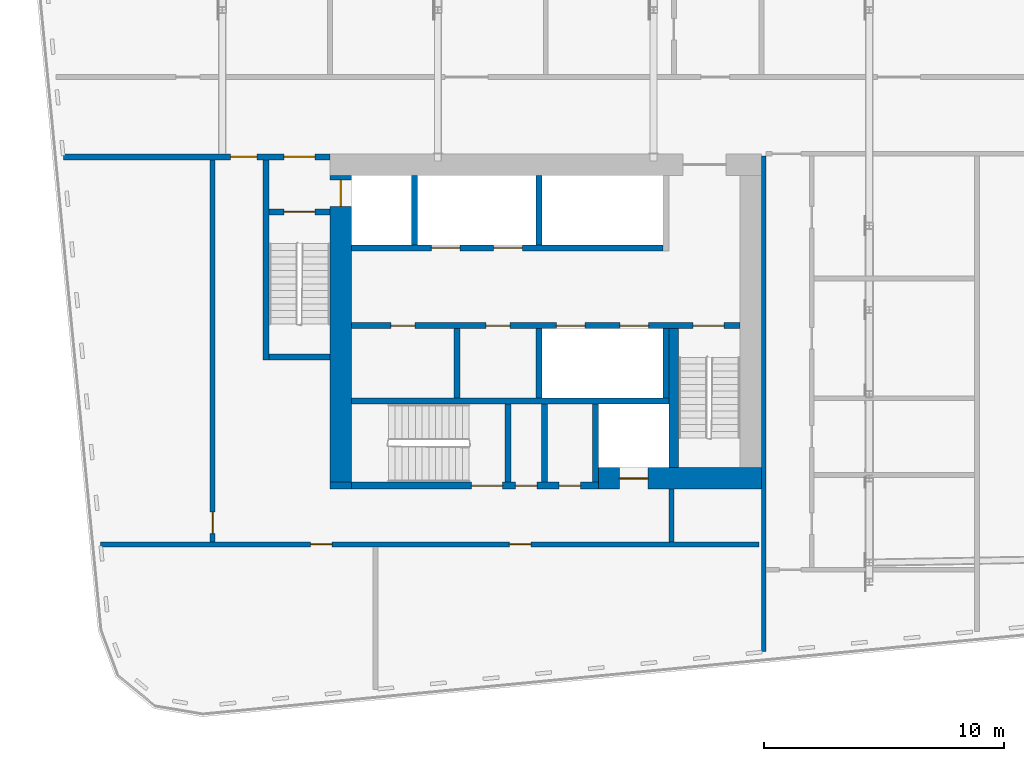
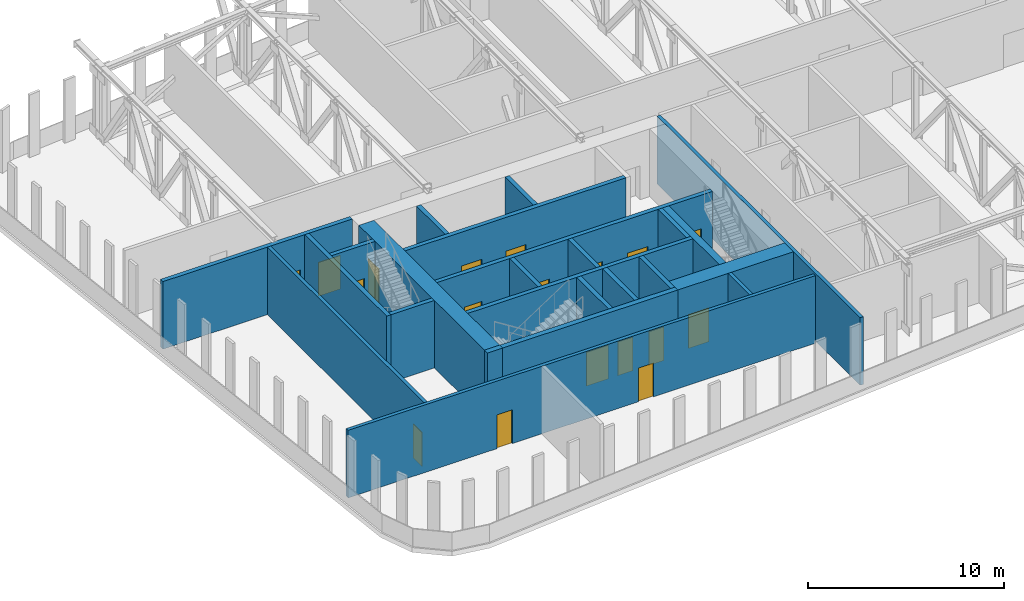
# One storey, part 8 of 26: 24 walls, 18 doors, 18 openings.
"""IFC4 building model written with IfcOpenShell, lengths in metres."""

import ifcopenshell
import ifcopenshell.guid

model = None  # the IFC model being written
_history = None  # IfcOwnerHistory: only IFC2X3 demands one
_inside = {}  # id of a spatial element -> (the spatial element, [elements in it])
_under = {}  # id of a project, library or spatial element -> (it, [spatial elements below it])
_declared = {}  # id of a project -> (the project, [libraries it declares])
_typed = {}  # id of a type object -> (the type object, [elements of that type])
_made_of = {}  # id of a material, layer set ... -> (it, [elements and type objects made of it])


def new_model(schema):
    """Start an empty IFC model of exactly this schema.

    Asked for "IFC4X3", IfcOpenShell would pick the latest addendum, in which some entities
    have other attributes; the version numbers below select the first issue.
    IFC2X3 requires an IfcOwnerHistory on every rooted entity: one is made here for all.
    """
    global model, _history
    if schema == "IFC4X3":
        model = ifcopenshell.file(schema_version=(4, 3, 0, 0))
    else:
        model = ifcopenshell.file(schema=schema)
    _inside.clear()
    _under.clear()
    _declared.clear()
    _typed.clear()
    _made_of.clear()
    _history = None
    if model.schema == "IFC2X3":
        org = make("IfcOrganization", Name="unknown")
        user = make(
            "IfcPersonAndOrganization",
            ThePerson=make("IfcPerson", FamilyName="unknown"),
            TheOrganization=org,
        )
        app = make(
            "IfcApplication",
            ApplicationDeveloper=org,
            Version="unknown",
            ApplicationFullName="unknown",
            ApplicationIdentifier="unknown",
        )
        _history = make(
            "IfcOwnerHistory",
            OwningUser=user,
            OwningApplication=app,
            ChangeAction="ADDED",
            CreationDate=0,
        )
    return model


def make(cls, **values):
    """One entity of the class cls with the attributes given. An attribute that is None is left unset."""
    return model.create_entity(
        cls, **{name: value for name, value in values.items() if value is not None}
    )


def rooted(cls, **values):
    """An entity with a GlobalId (a new one), such as an element, a storey or a relation."""
    return make(cls, GlobalId=ifcopenshell.guid.new(), OwnerHistory=_history, **values)


def si_unit(unit_type, name, prefix=None):
    """IfcSIUnit, for example si_unit("LENGTHUNIT", "METRE", prefix="MILLI")."""
    return make("IfcSIUnit", UnitType=unit_type, Prefix=prefix, Name=name)


def assignment(units):
    """IfcUnitAssignment: the units of a project."""
    return None if units is None else make("IfcUnitAssignment", Units=units)


def point(xyz):
    """IfcCartesianPoint."""
    return None if xyz is None else make("IfcCartesianPoint", Coordinates=xyz)


def direction(xyz):
    """IfcDirection."""
    return None if xyz is None else make("IfcDirection", DirectionRatios=xyz)


def frame(location, z_axis=None, x_axis=None):
    """IfcAxis2Placement3D, a coordinate frame: its origin and axes. An axis left out is left unset."""
    return make(
        "IfcAxis2Placement3D",
        Location=point(location),
        Axis=direction(z_axis),
        RefDirection=direction(x_axis),
    )


def frame_2d(location, x_axis=None):
    """IfcAxis2Placement2D, a coordinate frame in the plane: its origin and x axis."""
    return make(
        "IfcAxis2Placement2D", Location=point(location), RefDirection=direction(x_axis)
    )


def origin():
    """The frame at (0, 0, 0) with its axes left unset."""
    return frame((0.0, 0.0, 0.0))


def place(relative_to, where):
    """IfcLocalPlacement: puts the frame where relative to a parent placement (None: the world)."""
    return make(
        "IfcLocalPlacement", PlacementRelTo=relative_to, RelativePlacement=where
    )


def context(
    kind, dimensions, precision=None, world=None, true_north=None, identifier=None
):
    """IfcGeometricRepresentationContext, for example the 3D "Model" context."""
    return make(
        "IfcGeometricRepresentationContext",
        ContextIdentifier=identifier,
        ContextType=kind,
        CoordinateSpaceDimension=dimensions,
        Precision=precision,
        WorldCoordinateSystem=world,
        TrueNorth=true_north,
    )


def subcontext(parent, identifier, kind, view, scale=None):
    """IfcGeometricRepresentationSubContext, for example "Body" below "Model"."""
    return make(
        "IfcGeometricRepresentationSubContext",
        ContextIdentifier=identifier,
        ContextType=kind,
        ParentContext=parent,
        TargetScale=scale,
        TargetView=view,
    )


def project(units=None, contexts=None):
    """IfcProject with its units and contexts."""
    return rooted(
        "IfcProject",
        Name="project",
        RepresentationContexts=contexts,
        UnitsInContext=assignment(units),
    )


def spatial(cls, under=None, at=None, **own):
    """A site, building, storey or space (cls), placed at a placement, below another one or the project."""
    s = rooted(cls, ObjectPlacement=at, **own)
    if under is not None:
        _under.setdefault(under.id(), (under, []))[1].append(s)
    return s


def profile(cls, at=None, kind="AREA", **sizes):
    """A parametric profile (cls). Its sizes go by their IFC names, for example OverallWidth=200.0."""
    return make(cls, ProfileType=kind, Position=at, **sizes)


def rectangle(**sizes):
    """IfcRectangleProfileDef."""
    return profile("IfcRectangleProfileDef", **sizes)


def extrude(swept, where, along, depth):
    """IfcExtrudedAreaSolid: the profile swept, set in the frame where, extruded along a direction by depth."""
    return make(
        "IfcExtrudedAreaSolid",
        SweptArea=swept,
        Position=where,
        ExtrudedDirection=direction(along),
        Depth=depth,
    )


def shape(context_of_items, identifier, shape_type, items):
    """IfcShapeRepresentation: the items that make up one representation, for example the "Body"."""
    return make(
        "IfcShapeRepresentation",
        ContextOfItems=context_of_items,
        RepresentationIdentifier=identifier,
        RepresentationType=shape_type,
        Items=items,
    )


def material(Name=None, Category=None):
    """IfcMaterial."""
    return make("IfcMaterial", Name=Name, Category=Category)


def layer(
    of_material, thickness, ventilated=None, Name=None, Category=None, Priority=None
):
    """IfcMaterialLayer: one layer of a wall or slab, of a material (None: an air gap)."""
    return make(
        "IfcMaterialLayer",
        Material=of_material,
        LayerThickness=thickness,
        IsVentilated=ventilated,
        Name=Name,
        Category=Category,
        Priority=Priority,
    )


def layer_set(layers, Name=None):
    """IfcMaterialLayerSet."""
    return make("IfcMaterialLayerSet", MaterialLayers=layers, LayerSetName=Name)


def made_of(thing, what):
    """Note that an element or type object is made of a material, layer set ...; save() writes the relation."""
    if what is not None:
        _made_of.setdefault(what.id(), (what, []))[1].append(thing)
    return thing


def type_object(cls, material=None, **own):
    """A type object (cls), such as IfcWallType, which elements share."""
    return made_of(rooted(cls, **own), material)


def element(
    cls,
    number,
    at=None,
    inside=None,
    cuts=None,
    type_object=None,
    material=None,
    context=None,
    identifier="Body",
    shape_type=None,
    held_by="IfcProductDefinitionShape",
    body=None,
    shapes=None,
    **own,
):
    """One element of the class cls, such as IfcWall. Its Tag is "e" and its number.

    at: its placement. inside: the storey or other place that contains it. cuts: it is an
    opening in that element (IfcRelVoidsElement). A single representation is given by context,
    identifier, shape_type and body (its items); several are given by shapes. held_by: the class
    of the entity that holds the representations. save() writes the other relations.
    """
    e = rooted(cls, Tag="e%d" % number, ObjectPlacement=at, **own)
    if body is not None:
        shapes = [shape(context, identifier, shape_type, body)]
    if shapes is not None:
        e.Representation = make(held_by, Representations=shapes)
    if inside is not None:
        _inside.setdefault(inside.id(), (inside, []))[1].append(e)
    if cuts is not None:
        rooted(
            "IfcRelVoidsElement", RelatingBuildingElement=cuts, RelatedOpeningElement=e
        )
    if type_object is not None:
        _typed.setdefault(type_object.id(), (type_object, []))[1].append(e)
    return made_of(e, material)


def fill(opening, filler):
    """IfcRelFillsElement: the door or window that sits in an opening."""
    return rooted(
        "IfcRelFillsElement",
        RelatingOpeningElement=opening,
        RelatedBuildingElement=filler,
    )


def aggregate(whole, parts):
    """IfcRelAggregates: a whole, such as a stair, and the parts it consists of."""
    return rooted("IfcRelAggregates", RelatingObject=whole, RelatedObjects=parts)


def save(model, path):
    """Write the relations noted so far, then the file.

    IfcRelAggregates (storeys below a building ...), IfcRelContainedInSpatialStructure (elements
    in a storey), IfcRelDefinesByType, IfcRelAssociatesMaterial and IfcRelDeclares: one each for
    every whole, place, type object, material and project.
    """
    for whole, parts in _under.values():
        aggregate(whole, parts)
    for where, things in _inside.values():
        rooted(
            "IfcRelContainedInSpatialStructure",
            RelatedElements=things,
            RelatingStructure=where,
        )
    for kind, things in _typed.values():
        rooted("IfcRelDefinesByType", RelatedObjects=things, RelatingType=kind)
    for what, things in _made_of.values():
        rooted("IfcRelAssociatesMaterial", RelatedObjects=things, RelatingMaterial=what)
    for by, libraries in _declared.values():
        rooted("IfcRelDeclares", RelatingContext=by, RelatedDefinitions=libraries)
    model.write(path)


model = new_model("IFC4")

# Units and contexts
model_context = context("Model", 3, precision=1e-05, world=origin(), true_north=direction((0.0, 1.0)))
body_context = subcontext(model_context, "Body", "Model", "MODEL_VIEW")
ifc_project = project(units=[si_unit("LENGTHUNIT", "METRE"), si_unit("AREAUNIT", "SQUARE_METRE"), si_unit("VOLUMEUNIT", "CUBIC_METRE"), si_unit("PLANEANGLEUNIT", "RADIAN"), si_unit("MASSUNIT", "GRAM", prefix="KILO")], contexts=[model_context])

# Site, building, storey
site_placement = place(None, origin())
site = spatial("IfcSite", under=ifc_project, at=site_placement, CompositionType="ELEMENT")
building_placement = place(site_placement, origin())
building = spatial("IfcBuilding", under=site, at=building_placement, Name="Kajstack Hotel Tower", CompositionType="ELEMENT")
storey_placement = place(building_placement, frame((0.0, 0.0, 206.5)))
storey = spatial("IfcBuildingStorey", under=building, at=storey_placement, Name="L50", CompositionType="ELEMENT", Elevation=206.5)

# Wall, opening, door
ifc_material_1 = material(Name="Concrete C60/75", Category="concrete")
ifc_layer_1 = layer(ifc_material_1, 0.89990234375)
ifc_layer_set_1 = layer_set([ifc_layer_1], Name="Core wall 900")
wall_type_1 = type_object("IfcWallType", Name="Core wall 900", PredefinedType="SHEAR", material=ifc_layer_set_1)
wall_1_placement = place(storey_placement, frame((-20.300048828125, -15.050048828125, 0.0), z_axis=(0.0, 0.0, 1.0), x_axis=(1.0, 0.0, 0.0)))
wall_1 = element("IfcWall", 1, at=wall_1_placement, inside=storey, type_object=wall_type_1, Name="Core wall W RS", PredefinedType="SHEAR", context=body_context, shape_type="SweptSolid", body=[
    extrude(rectangle(XDim=6.800048828125, YDim=0.89990234375, at=frame_2d((3.39990234375, 0.0))), origin(), (0.0, 0.0, 1.0), 4.199951171875),
])
opening_1_placement = place(wall_1_placement, frame((0.875, 0.0, 0.0)))
opening_1 = element("IfcOpeningElement", 2, at=opening_1_placement, cuts=wall_1, Name="Opening LD-SV1", PredefinedType="OPENING", context=body_context, shape_type="SweptSolid", body=[
    extrude(rectangle(XDim=1.199951171875, YDim=2.10009765625, at=frame_2d((0.60009765625, 1.050048828125))), frame((0.0, 0.4599609375, 0.0), z_axis=(0.0, -1.0, 0.0), x_axis=(1.0, 0.0, 0.0)), (0.0, 0.0, 1.0), 0.919921875),
])
ifc_material_2 = material(Name="Stainless steel", Category="steel")
door_type_1 = type_object("IfcDoorType", Name="Lift landing door 1200", OperationType="SLIDING_TO_LEFT", PredefinedType="DOOR", material=ifc_material_2)
door_1_placement = place(opening_1_placement, origin())
door_1 = element("IfcDoor", 3, at=door_1_placement, inside=storey, type_object=door_type_1, Name="Landing door SV1", OperationType="SLIDING_TO_LEFT", OverallHeight=2.10009765625, OverallWidth=1.199951171875, PredefinedType="DOOR", context=body_context, shape_type="SweptSolid", body=[
    extrude(rectangle(XDim=1.199951171875, YDim=2.10009765625, at=frame_2d((0.60009765625, 1.050048828125))), frame((0.0, 0.02490234375, 0.0), z_axis=(0.0, -1.0, 0.0), x_axis=(1.0, 0.0, 0.0)), (0.0, 0.0, 1.0), 0.050048828125),
])
fill(opening_1, door_1)

# Wall
wall_2_placement = place(storey_placement, frame((-31.5, -15.35009765625, 0.0), z_axis=(0.0, 0.0, 1.0), x_axis=(1.0, 0.0, 0.0)))
element("IfcWall", 4, at=wall_2_placement, inside=storey, type_object=wall_type_1, Name="Core wall W RSW", PredefinedType="SHEAR", context=body_context, shape_type="SweptSolid", body=[
    extrude(rectangle(XDim=0.89990234375, YDim=0.300048828125, at=frame_2d((0.449951171875, 0.0))), origin(), (0.0, 0.0, 1.0), 4.199951171875),
])

# Wall, opening, door
wall_3_placement = place(storey_placement, frame((-31.050048828125, -15.199951171875, 0.0), z_axis=(0.0, 0.0, 1.0), x_axis=(0.0, 1.0, 0.0)))
wall_3 = element("IfcWall", 5, at=wall_3_placement, inside=storey, type_object=wall_type_1, Name="Core wall W RW", PredefinedType="SHEAR", context=body_context, shape_type="SweptSolid", body=[
    extrude(rectangle(XDim=12.800048828125, YDim=0.89990234375, at=frame_2d((6.39990234375, 0.0))), origin(), (0.0, 0.0, 1.0), 4.199951171875),
])
opening_2_placement = place(wall_3_placement, frame((11.5, 0.0, 0.0)))
opening_2 = element("IfcOpeningElement", 6, at=opening_2_placement, cuts=wall_3, Name="Opening LD-FF1", PredefinedType="OPENING", context=body_context, shape_type="SweptSolid", body=[
    extrude(rectangle(XDim=1.10009765625, YDim=2.10009765625, at=frame_2d((0.550048828125, 1.050048828125))), frame((0.0, 0.4599609375, 0.0), z_axis=(0.0, -1.0, 0.0), x_axis=(1.0, 0.0, 0.0)), (0.0, 0.0, 1.0), 0.919921875),
])
door_type_2 = type_object("IfcDoorType", Name="Fire-fighting lift landing door 1100", OperationType="SLIDING_TO_LEFT", PredefinedType="DOOR", material=ifc_material_2)
door_2_placement = place(opening_2_placement, origin())
door_2 = element("IfcDoor", 7, at=door_2_placement, inside=storey, type_object=door_type_2, Name="Landing door FF1", OperationType="SLIDING_TO_RIGHT", OverallHeight=2.10009765625, OverallWidth=1.10009765625, PredefinedType="DOOR", context=body_context, shape_type="SweptSolid", body=[
    extrude(rectangle(XDim=1.10009765625, YDim=2.10009765625, at=frame_2d((0.550048828125, 1.050048828125))), frame((0.0, 0.02490234375, 0.0), z_axis=(0.0, -1.0, 0.0), x_axis=(1.0, 0.0, 0.0)), (0.0, 0.0, 1.0), 0.050048828125),
])
fill(opening_2, door_2)

# Walls
ifc_material_3 = material(Name="Concrete C50/60", Category="concrete")
ifc_layer_2 = layer(ifc_material_3, 0.300048828125)
ifc_layer_set_2 = layer_set([ifc_layer_2], Name="Hoistway divider wall 300")
wall_type_2 = type_object("IfcWallType", Name="Hoistway divider wall 300", PredefinedType="SHEAR", material=ifc_layer_set_2)
wall_4_placement = place(storey_placement, frame((-22.77490234375, -5.300048828125, 0.0), z_axis=(0.0, 0.0, 1.0), x_axis=(0.0, 1.0, 0.0)))
element("IfcWall", 8, at=wall_4_placement, inside=storey, type_object=wall_type_2, Name="Core wall W AP2", PredefinedType="SHEAR", context=body_context, shape_type="SweptSolid", body=[
    extrude(rectangle(XDim=2.900146484375, YDim=0.25, at=frame_2d((1.4501953125, 0.0))), origin(), (0.0, 0.0, 1.0), 4.199951171875),
])
wall_5_placement = place(storey_placement, frame((-22.77490234375, -11.699951171875, 0.0), z_axis=(0.0, 0.0, 1.0), x_axis=(0.0, 1.0, 0.0)))
element("IfcWall", 9, at=wall_5_placement, inside=storey, type_object=wall_type_2, Name="Core wall W BP2", PredefinedType="SHEAR", context=body_context, shape_type="SweptSolid", body=[
    extrude(rectangle(XDim=2.89990234375, YDim=0.25, at=frame_2d((1.449951171875, 0.0))), origin(), (0.0, 0.0, 1.0), 4.199951171875),
])
ifc_material_4 = material(Name="Gypsum board on steel studs, mineral wool", Category="steel")
ifc_layer_3 = layer(ifc_material_4, 0.199951171875)
ifc_layer_set_3 = layer_set([ifc_layer_3], Name="Public partition 200")
wall_type_3 = type_object("IfcWallType", Name="Public partition 200", PredefinedType="PARTITIONING", material=ifc_layer_set_3)
wall_6_placement = place(storey_placement, frame((-13.39990234375, -22.271484375, 0.0), z_axis=(0.0, 0.0, 1.0), x_axis=(0.0, 1.0, 0.0)))
element("IfcWall", 10, at=wall_6_placement, inside=storey, type_object=wall_type_3, Name="Partition SEW", PredefinedType="PARTITIONING", context=body_context, shape_type="SweptSolid", body=[
    extrude(rectangle(XDim=20.67138671875, YDim=0.199951171875, at=frame_2d((10.335693359375, 0.0))), origin(), (0.0, 0.0, 1.0), 4.199951171875),
])
ifc_material_5 = material(Name="Concrete block masonry", Category="masonry")
ifc_layer_4 = layer(ifc_material_5, 0.25)
ifc_layer_set_4 = layer_set([ifc_layer_4], Name="Riser partition 250")
wall_type_4 = type_object("IfcWallType", Name="Riser partition 250", PredefinedType="PARTITIONING", material=ifc_layer_set_4)
wall_7_placement = place(storey_placement, frame((-26.199951171875, -11.699951171875, 0.0), z_axis=(0.0, 0.0, 1.0), x_axis=(0.0, 1.0, 0.0)))
element("IfcWall", 11, at=wall_7_placement, inside=storey, type_object=wall_type_4, Name="Partition W BF0", PredefinedType="PARTITIONING", context=body_context, shape_type="SweptSolid", body=[
    extrude(rectangle(XDim=2.89990234375, YDim=0.25, at=frame_2d((1.449951171875, 0.0))), origin(), (0.0, 0.0, 1.0), 4.199951171875),
])
wall_8_placement = place(storey_placement, frame((-22.550048828125, -15.199951171875, 0.0), z_axis=(0.0, 0.0, 1.0), x_axis=(0.0, 1.0, 0.0)))
element("IfcWall", 12, at=wall_8_placement, inside=storey, type_object=wall_type_4, Name="Partition W SZ0", PredefinedType="PARTITIONING", context=body_context, shape_type="SweptSolid", body=[
    extrude(rectangle(XDim=3.25, YDim=0.25, at=frame_2d((1.625, 0.0))), origin(), (0.0, 0.0, 1.0), 4.199951171875),
])

# Wall, openings, doors
ifc_layer_5 = layer(ifc_material_4, 0.199951171875)
ifc_layer_set_5 = layer_set([ifc_layer_5], Name="Service partition 200")
wall_type_5 = type_object("IfcWallType", Name="Service partition 200", PredefinedType="PARTITIONING", material=ifc_layer_set_5)
wall_9_placement = place(storey_placement, frame((-42.631591796875, -1.625, 0.0), z_axis=(0.0, 0.0, 1.0), x_axis=(1.0, 0.0, 0.0)))
wall_9 = element("IfcWall", 13, at=wall_9_placement, inside=storey, type_object=wall_type_5, Name="Partition W SN", PredefinedType="PARTITIONING", context=body_context, shape_type="SweptSolid", body=[
    extrude(rectangle(XDim=11.131591796875, YDim=0.25, at=frame_2d((5.56591796875, 0.0))), origin(), (0.0, 0.0, 1.0), 4.199951171875),
])
opening_3_placement = place(wall_9_placement, frame((9.20654296875, 0.0, 0.0)))
opening_3 = element("IfcOpeningElement", 14, at=opening_3_placement, cuts=wall_9, Name="Opening 50W08", PredefinedType="OPENING", context=body_context, shape_type="SweptSolid", body=[
    extrude(rectangle(XDim=1.300048828125, YDim=2.10009765625, at=frame_2d((0.64990234375, 1.050048828125))), frame((0.0, 0.135009765625, 0.0), z_axis=(0.0, -1.0, 0.0), x_axis=(1.0, 0.0, 0.0)), (0.0, 0.0, 1.0), 0.27001953125),
])
opening_4_placement = place(wall_9_placement, frame((6.9814453125, 0.0, 0.0)))
opening_4 = element("IfcOpeningElement", 15, at=opening_4_placement, cuts=wall_9, Name="Opening 50W10", PredefinedType="OPENING", context=body_context, shape_type="SweptSolid", body=[
    extrude(rectangle(XDim=1.10009765625, YDim=2.10009765625, at=frame_2d((0.550048828125, 1.050048828125))), frame((0.0, 0.135009765625, 0.0), z_axis=(0.0, -1.0, 0.0), x_axis=(1.0, 0.0, 0.0)), (0.0, 0.0, 1.0), 0.27001953125),
])
ifc_material_6 = material(Name="Steel leaf, fire-rated", Category="steel")
door_type_3 = type_object("IfcDoorType", Name="Fire lobby door 1300", OperationType="SINGLE_SWING_LEFT", PredefinedType="DOOR", material=ifc_material_6)
door_3_placement = place(opening_3_placement, origin())
door_3 = element("IfcDoor", 16, at=door_3_placement, inside=storey, type_object=door_type_3, Name="Door 50W08", OperationType="SINGLE_SWING_RIGHT", OverallHeight=2.10009765625, OverallWidth=1.300048828125, PredefinedType="DOOR", context=body_context, shape_type="SweptSolid", body=[
    extrude(rectangle(XDim=1.300048828125, YDim=2.10009765625, at=frame_2d((0.64990234375, 1.050048828125))), frame((0.0, 0.02490234375, 0.0), z_axis=(0.0, -1.0, 0.0), x_axis=(1.0, 0.0, 0.0)), (0.0, 0.0, 1.0), 0.050048828125),
])
fill(opening_3, door_3)
ifc_material_7 = material(Name="Timber leaf, fire-rated", Category="wood")
door_type_4 = type_object("IfcDoorType", Name="Service corridor door 1100", OperationType="SINGLE_SWING_LEFT", PredefinedType="DOOR", material=ifc_material_7)
door_4_placement = place(opening_4_placement, origin())
door_4 = element("IfcDoor", 17, at=door_4_placement, inside=storey, type_object=door_type_4, Name="Door 50W10", OperationType="SINGLE_SWING_RIGHT", OverallHeight=2.10009765625, OverallWidth=1.10009765625, PredefinedType="DOOR", context=body_context, shape_type="SweptSolid", body=[
    extrude(rectangle(XDim=1.10009765625, YDim=2.10009765625, at=frame_2d((0.550048828125, 1.050048828125))), frame((0.0, 0.02490234375, 0.0), z_axis=(0.0, -1.0, 0.0), x_axis=(1.0, 0.0, 0.0)), (0.0, 0.0, 1.0), 0.050048828125),
])
fill(opening_4, door_4)

# Wall
wall_10_placement = place(storey_placement, frame((-17.25, -17.699951171875, 0.0), z_axis=(0.0, 0.0, 1.0), x_axis=(0.0, 1.0, 0.0)))
element("IfcWall", 18, at=wall_10_placement, inside=storey, type_object=wall_type_5, Name="Partition W SCE", PredefinedType="PARTITIONING", context=body_context, shape_type="SweptSolid", body=[
    extrude(rectangle(XDim=2.199951171875, YDim=0.199951171875, at=frame_2d((1.10009765625, 0.0))), origin(), (0.0, 0.0, 1.0), 4.199951171875),
])

# Wall, opening, door
wall_11_placement = place(storey_placement, frame((-36.39990234375, -17.699951171875, 0.0), z_axis=(0.0, 0.0, 1.0), x_axis=(0.0, 1.0, 0.0)))
wall_11 = element("IfcWall", 19, at=wall_11_placement, inside=storey, type_object=wall_type_5, Name="Partition W WRE", PredefinedType="PARTITIONING", context=body_context, shape_type="SweptSolid", body=[
    extrude(rectangle(XDim=15.949951171875, YDim=0.199951171875, at=frame_2d((7.97509765625, 0.0))), origin(), (0.0, 0.0, 1.0), 4.199951171875),
])
opening_5_placement = place(wall_11_placement, frame((0.35009765625, 0.0, 0.0)))
opening_5 = element("IfcOpeningElement", 20, at=opening_5_placement, cuts=wall_11, Name="Opening 50W19", PredefinedType="OPENING", context=body_context, shape_type="SweptSolid", body=[
    extrude(rectangle(XDim=0.89990234375, YDim=2.10009765625, at=frame_2d((0.449951171875, 1.050048828125))), frame((0.0, 0.10986328125, 0.0), z_axis=(0.0, -1.0, 0.0), x_axis=(1.0, 0.0, 0.0)), (0.0, 0.0, 1.0), 0.219970703125),
])
door_type_5 = type_object("IfcDoorType", Name="Service door 900", OperationType="SINGLE_SWING_LEFT", PredefinedType="DOOR", material=ifc_material_7)
door_5_placement = place(opening_5_placement, origin())
door_5 = element("IfcDoor", 21, at=door_5_placement, inside=storey, type_object=door_type_5, Name="Door 50W19", OperationType="SINGLE_SWING_LEFT", OverallHeight=2.10009765625, OverallWidth=0.89990234375, PredefinedType="DOOR", context=body_context, shape_type="SweptSolid", body=[
    extrude(rectangle(XDim=0.89990234375, YDim=2.10009765625, at=frame_2d((0.449951171875, 1.050048828125))), frame((0.0, 0.02490234375, 0.0), z_axis=(0.0, -1.0, 0.0), x_axis=(1.0, 0.0, 0.0)), (0.0, 0.0, 1.0), 0.050048828125),
])
fill(opening_5, door_5)

# Wall, openings, doors
wall_12_placement = place(storey_placement, frame((-41.07421875, -17.800048828125, 0.0), z_axis=(0.0, 0.0, 1.0), x_axis=(1.0, 0.0, 0.0)))
wall_12 = element("IfcWall", 22, at=wall_12_placement, inside=storey, type_object=wall_type_5, Name="Partition W SLN", PredefinedType="PARTITIONING", context=body_context, shape_type="SweptSolid", body=[
    extrude(rectangle(XDim=27.47412109375, YDim=0.199951171875, at=frame_2d((13.737060546875, 0.0))), origin(), (0.0, 0.0, 1.0), 4.199951171875),
])
opening_6_placement = place(wall_12_placement, frame((8.76171875, 0.0, 0.0)))
opening_6 = element("IfcOpeningElement", 23, at=opening_6_placement, cuts=wall_12, Name="Opening 50W17", PredefinedType="OPENING", context=body_context, shape_type="SweptSolid", body=[
    extrude(rectangle(XDim=0.89990234375, YDim=2.10009765625, at=frame_2d((0.449951171875, 1.050048828125))), frame((0.0, 0.10986328125, 0.0), z_axis=(0.0, -1.0, 0.0), x_axis=(1.0, 0.0, 0.0)), (0.0, 0.0, 1.0), 0.219970703125),
])
opening_7_placement = place(wall_12_placement, frame((17.0615234375, 0.0, 0.0)))
opening_7 = element("IfcOpeningElement", 24, at=opening_7_placement, cuts=wall_12, Name="Opening 50W18", PredefinedType="OPENING", context=body_context, shape_type="SweptSolid", body=[
    extrude(rectangle(XDim=0.89990234375, YDim=2.10009765625, at=frame_2d((0.449951171875, 1.050048828125))), frame((0.0, 0.10986328125, 0.0), z_axis=(0.0, -1.0, 0.0), x_axis=(1.0, 0.0, 0.0)), (0.0, 0.0, 1.0), 0.219970703125),
])
door_6_placement = place(opening_6_placement, origin())
door_6 = element("IfcDoor", 25, at=door_6_placement, inside=storey, type_object=door_type_5, Name="Door 50W17", OperationType="SINGLE_SWING_RIGHT", OverallHeight=2.10009765625, OverallWidth=0.89990234375, PredefinedType="DOOR", context=body_context, shape_type="SweptSolid", body=[
    extrude(rectangle(XDim=0.89990234375, YDim=2.10009765625, at=frame_2d((0.449951171875, 1.050048828125))), frame((0.0, 0.02490234375, 0.0), z_axis=(0.0, -1.0, 0.0), x_axis=(1.0, 0.0, 0.0)), (0.0, 0.0, 1.0), 0.050048828125),
])
fill(opening_6, door_6)
door_7_placement = place(opening_7_placement, origin())
door_7 = element("IfcDoor", 26, at=door_7_placement, inside=storey, type_object=door_type_5, Name="Door 50W18", OperationType="SINGLE_SWING_RIGHT", OverallHeight=2.10009765625, OverallWidth=0.89990234375, PredefinedType="DOOR", context=body_context, shape_type="SweptSolid", body=[
    extrude(rectangle(XDim=0.89990234375, YDim=2.10009765625, at=frame_2d((0.449951171875, 1.050048828125))), frame((0.0, 0.02490234375, 0.0), z_axis=(0.0, -1.0, 0.0), x_axis=(1.0, 0.0, 0.0)), (0.0, 0.0, 1.0), 0.050048828125),
])
fill(opening_7, door_7)

ifc_layer_6 = layer(ifc_material_3, 0.25)
ifc_layer_set_6 = layer_set([ifc_layer_6], Name="Shaft wall 250")
wall_type_6 = type_object("IfcWallType", Name="Shaft wall 250", PredefinedType="SHEAR", material=ifc_layer_set_6)
wall_13_placement = place(storey_placement, frame((-30.60009765625, -15.35009765625, 0.0), z_axis=(0.0, 0.0, 1.0), x_axis=(1.0, 0.0, 0.0)))
wall_13 = element("IfcWall", 27, at=wall_13_placement, inside=storey, type_object=wall_type_6, Name="Core wall W RSS", PredefinedType="SHEAR", context=body_context, shape_type="SweptSolid", body=[
    extrude(rectangle(XDim=10.300048828125, YDim=0.300048828125, at=frame_2d((5.14990234375, 0.0))), origin(), (0.0, 0.0, 1.0), 4.199951171875),
])
opening_8_placement = place(wall_13_placement, frame((5.0, 0.0, 0.0)))
opening_8 = element("IfcOpeningElement", 28, at=opening_8_placement, cuts=wall_13, Name="Opening 50W12", PredefinedType="OPENING", context=body_context, shape_type="SweptSolid", body=[
    extrude(rectangle(XDim=1.300048828125, YDim=2.10009765625, at=frame_2d((0.64990234375, 1.050048828125))), frame((0.0, 0.159912109375, 0.0), z_axis=(0.0, -1.0, 0.0), x_axis=(1.0, 0.0, 0.0)), (0.0, 0.0, 1.0), 0.320068359375),
])
opening_9_placement = place(wall_13_placement, frame((6.83740234375, 0.0, 0.0)))
opening_9 = element("IfcOpeningElement", 29, at=opening_9_placement, cuts=wall_13, Name="Opening 50W13", PredefinedType="OPENING", context=body_context, shape_type="SweptSolid", body=[
    extrude(rectangle(XDim=0.89990234375, YDim=2.10009765625, at=frame_2d((0.449951171875, 1.050048828125))), frame((0.0, 0.159912109375, 0.0), z_axis=(0.0, -1.0, 0.0), x_axis=(1.0, 0.0, 0.0)), (0.0, 0.0, 1.0), 0.320068359375),
])
opening_10_placement = place(wall_13_placement, frame((8.66259765625, 0.0, 0.0)))
opening_10 = element("IfcOpeningElement", 30, at=opening_10_placement, cuts=wall_13, Name="Opening 50W14", PredefinedType="OPENING", context=body_context, shape_type="SweptSolid", body=[
    extrude(rectangle(XDim=0.89990234375, YDim=2.10009765625, at=frame_2d((0.449951171875, 1.050048828125))), frame((0.0, 0.159912109375, 0.0), z_axis=(0.0, -1.0, 0.0), x_axis=(1.0, 0.0, 0.0)), (0.0, 0.0, 1.0), 0.320068359375),
])
door_type_6 = type_object("IfcDoorType", Name="Riser door 900", OperationType="SINGLE_SWING_LEFT", PredefinedType="DOOR", material=ifc_material_6)
door_8_placement = place(opening_10_placement, origin())
door_8 = element("IfcDoor", 31, at=door_8_placement, inside=storey, type_object=door_type_6, Name="Door 50W14", OperationType="SINGLE_SWING_LEFT", OverallHeight=2.10009765625, OverallWidth=0.89990234375, PredefinedType="DOOR", context=body_context, shape_type="SweptSolid", body=[
    extrude(rectangle(XDim=0.89990234375, YDim=2.10009765625, at=frame_2d((0.449951171875, 1.050048828125))), frame((0.0, 0.02490234375, 0.0), z_axis=(0.0, -1.0, 0.0), x_axis=(1.0, 0.0, 0.0)), (0.0, 0.0, 1.0), 0.050048828125),
])
fill(opening_10, door_8)
door_9_placement = place(opening_9_placement, origin())
door_9 = element("IfcDoor", 32, at=door_9_placement, inside=storey, type_object=door_type_5, Name="Door 50W13", OperationType="SINGLE_SWING_LEFT", OverallHeight=2.10009765625, OverallWidth=0.89990234375, PredefinedType="DOOR", context=body_context, shape_type="SweptSolid", body=[
    extrude(rectangle(XDim=0.89990234375, YDim=2.10009765625, at=frame_2d((0.449951171875, 1.050048828125))), frame((0.0, 0.02490234375, 0.0), z_axis=(0.0, -1.0, 0.0), x_axis=(1.0, 0.0, 0.0)), (0.0, 0.0, 1.0), 0.050048828125),
])
fill(opening_9, door_9)
door_type_7 = type_object("IfcDoorType", Name="Stair door 1300", OperationType="SINGLE_SWING_LEFT", PredefinedType="DOOR", material=ifc_material_6)
door_10_placement = place(opening_8_placement, origin())
door_10 = element("IfcDoor", 33, at=door_10_placement, inside=storey, type_object=door_type_7, Name="Door 50W12", OperationType="SINGLE_SWING_RIGHT", OverallHeight=2.10009765625, OverallWidth=1.300048828125, PredefinedType="DOOR", context=body_context, shape_type="SweptSolid", body=[
    extrude(rectangle(XDim=1.300048828125, YDim=2.10009765625, at=frame_2d((0.64990234375, 1.050048828125))), frame((0.0, 0.02490234375, 0.0), z_axis=(0.0, -1.0, 0.0), x_axis=(1.0, 0.0, 0.0)), (0.0, 0.0, 1.0), 0.050048828125),
])
fill(opening_8, door_10)

wall_14_placement = place(storey_placement, frame((-30.60009765625, -5.425048828125, 0.0), z_axis=(0.0, 0.0, 1.0), x_axis=(1.0, 0.0, 0.0)))
wall_14 = element("IfcWall", 34, at=wall_14_placement, inside=storey, type_object=wall_type_6, Name="Core wall W FA", PredefinedType="SHEAR", context=body_context, shape_type="SweptSolid", body=[
    extrude(rectangle(XDim=13.0, YDim=0.25, at=frame_2d((6.5, 0.0))), origin(), (0.0, 0.0, 1.0), 4.199951171875),
])
opening_11_placement = place(wall_14_placement, frame((3.324951171875, 0.0, 0.0)))
opening_11 = element("IfcOpeningElement", 35, at=opening_11_placement, cuts=wall_14, Name="Opening LD-MR3", PredefinedType="OPENING", context=body_context, shape_type="SweptSolid", body=[
    extrude(rectangle(XDim=1.199951171875, YDim=2.10009765625, at=frame_2d((0.60009765625, 1.050048828125))), frame((0.0, 0.135009765625, 0.0), z_axis=(0.0, -1.0, 0.0), x_axis=(1.0, 0.0, 0.0)), (0.0, 0.0, 1.0), 0.27001953125),
])
opening_12_placement = place(wall_14_placement, frame((5.925048828125, 0.0, 0.0)))
opening_12 = element("IfcOpeningElement", 36, at=opening_12_placement, cuts=wall_14, Name="Opening LD-MR4", PredefinedType="OPENING", context=body_context, shape_type="SweptSolid", body=[
    extrude(rectangle(XDim=1.199951171875, YDim=2.10009765625, at=frame_2d((0.60009765625, 1.050048828125))), frame((0.0, 0.135009765625, 0.0), z_axis=(0.0, -1.0, 0.0), x_axis=(1.0, 0.0, 0.0)), (0.0, 0.0, 1.0), 0.27001953125),
])
door_11_placement = place(opening_11_placement, origin())
door_11 = element("IfcDoor", 37, at=door_11_placement, inside=storey, type_object=door_type_1, Name="Landing door MR3", OperationType="SLIDING_TO_RIGHT", OverallHeight=2.10009765625, OverallWidth=1.199951171875, PredefinedType="DOOR", context=body_context, shape_type="SweptSolid", body=[
    extrude(rectangle(XDim=1.199951171875, YDim=2.10009765625, at=frame_2d((0.60009765625, 1.050048828125))), frame((0.0, 0.02490234375, 0.0), z_axis=(0.0, -1.0, 0.0), x_axis=(1.0, 0.0, 0.0)), (0.0, 0.0, 1.0), 0.050048828125),
])
fill(opening_11, door_11)
door_12_placement = place(opening_12_placement, origin())
door_12 = element("IfcDoor", 38, at=door_12_placement, inside=storey, type_object=door_type_1, Name="Landing door MR4", OperationType="SLIDING_TO_RIGHT", OverallHeight=2.10009765625, OverallWidth=1.199951171875, PredefinedType="DOOR", context=body_context, shape_type="SweptSolid", body=[
    extrude(rectangle(XDim=1.199951171875, YDim=2.10009765625, at=frame_2d((0.60009765625, 1.050048828125))), frame((0.0, 0.02490234375, 0.0), z_axis=(0.0, -1.0, 0.0), x_axis=(1.0, 0.0, 0.0)), (0.0, 0.0, 1.0), 0.050048828125),
])
fill(opening_12, door_12)

# Wall
wall_15_placement = place(storey_placement, frame((-27.97509765625, -5.300048828125, 0.0), z_axis=(0.0, 0.0, 1.0), x_axis=(0.0, 1.0, 0.0)))
element("IfcWall", 39, at=wall_15_placement, inside=storey, type_object=wall_type_6, Name="Core wall W AP0", PredefinedType="SHEAR", context=body_context, shape_type="SweptSolid", body=[
    extrude(rectangle(XDim=2.900146484375, YDim=0.25, at=frame_2d((1.4501953125, 0.0))), origin(), (0.0, 0.0, 1.0), 4.199951171875),
])

# Wall, openings, doors
wall_16_placement = place(storey_placement, frame((-30.60009765625, -8.675048828125, 0.0), z_axis=(0.0, 0.0, 1.0), x_axis=(1.0, 0.0, 0.0)))
wall_16 = element("IfcWall", 40, at=wall_16_placement, inside=storey, type_object=wall_type_6, Name="Core wall W FB", PredefinedType="SHEAR", context=body_context, shape_type="SweptSolid", body=[
    extrude(rectangle(XDim=16.2001953125, YDim=0.25, at=frame_2d((8.10009765625, 0.0))), origin(), (0.0, 0.0, 1.0), 4.199951171875),
])
opening_13_placement = place(wall_16_placement, frame((8.550048828125, 0.0, 0.0)))
opening_13 = element("IfcOpeningElement", 41, at=opening_13_placement, cuts=wall_16, Name="Opening LD-MR1", PredefinedType="OPENING", context=body_context, shape_type="SweptSolid", body=[
    extrude(rectangle(XDim=1.199951171875, YDim=2.10009765625, at=frame_2d((0.60009765625, 1.050048828125))), frame((0.0, 0.135009765625, 0.0), z_axis=(0.0, -1.0, 0.0), x_axis=(1.0, 0.0, 0.0)), (0.0, 0.0, 1.0), 0.27001953125),
])
opening_14_placement = place(wall_16_placement, frame((11.199951171875, 0.0, 0.0)))
opening_14 = element("IfcOpeningElement", 42, at=opening_14_placement, cuts=wall_16, Name="Opening LD-MR2", PredefinedType="OPENING", context=body_context, shape_type="SweptSolid", body=[
    extrude(rectangle(XDim=1.199951171875, YDim=2.10009765625, at=frame_2d((0.60009765625, 1.050048828125))), frame((0.0, 0.135009765625, 0.0), z_axis=(0.0, -1.0, 0.0), x_axis=(1.0, 0.0, 0.0)), (0.0, 0.0, 1.0), 0.27001953125),
])
opening_15_placement = place(wall_16_placement, frame((14.25, 0.0, 0.0)))
opening_15 = element("IfcOpeningElement", 43, at=opening_15_placement, cuts=wall_16, Name="Opening 50W11", PredefinedType="OPENING", context=body_context, shape_type="SweptSolid", body=[
    extrude(rectangle(XDim=1.300048828125, YDim=2.10009765625, at=frame_2d((0.64990234375, 1.050048828125))), frame((0.0, 0.135009765625, 0.0), z_axis=(0.0, -1.0, 0.0), x_axis=(1.0, 0.0, 0.0)), (0.0, 0.0, 1.0), 0.27001953125),
])
opening_16_placement = place(wall_16_placement, frame((1.637451171875, 0.0, 0.0)))
opening_16 = element("IfcOpeningElement", 44, at=opening_16_placement, cuts=wall_16, Name="Opening 50W15", PredefinedType="OPENING", context=body_context, shape_type="SweptSolid", body=[
    extrude(rectangle(XDim=1.0, YDim=2.10009765625, at=frame_2d((0.5, 1.050048828125))), frame((0.0, 0.135009765625, 0.0), z_axis=(0.0, -1.0, 0.0), x_axis=(1.0, 0.0, 0.0)), (0.0, 0.0, 1.0), 0.27001953125),
])
opening_17_placement = place(wall_16_placement, frame((5.612548828125, 0.0, 0.0)))
opening_17 = element("IfcOpeningElement", 45, at=opening_17_placement, cuts=wall_16, Name="Opening 50W16", PredefinedType="OPENING", context=body_context, shape_type="SweptSolid", body=[
    extrude(rectangle(XDim=1.0, YDim=2.10009765625, at=frame_2d((0.5, 1.050048828125))), frame((0.0, 0.135009765625, 0.0), z_axis=(0.0, -1.0, 0.0), x_axis=(1.0, 0.0, 0.0)), (0.0, 0.0, 1.0), 0.27001953125),
])
door_13_placement = place(opening_13_placement, origin())
door_13 = element("IfcDoor", 46, at=door_13_placement, inside=storey, type_object=door_type_1, Name="Landing door MR1", OperationType="SLIDING_TO_LEFT", OverallHeight=2.10009765625, OverallWidth=1.199951171875, PredefinedType="DOOR", context=body_context, shape_type="SweptSolid", body=[
    extrude(rectangle(XDim=1.199951171875, YDim=2.10009765625, at=frame_2d((0.60009765625, 1.050048828125))), frame((0.0, 0.02490234375, 0.0), z_axis=(0.0, -1.0, 0.0), x_axis=(1.0, 0.0, 0.0)), (0.0, 0.0, 1.0), 0.050048828125),
])
fill(opening_13, door_13)
door_14_placement = place(opening_14_placement, origin())
door_14 = element("IfcDoor", 47, at=door_14_placement, inside=storey, type_object=door_type_1, Name="Landing door MR2", OperationType="SLIDING_TO_RIGHT", OverallHeight=2.10009765625, OverallWidth=1.199951171875, PredefinedType="DOOR", context=body_context, shape_type="SweptSolid", body=[
    extrude(rectangle(XDim=1.199951171875, YDim=2.10009765625, at=frame_2d((0.60009765625, 1.050048828125))), frame((0.0, 0.02490234375, 0.0), z_axis=(0.0, -1.0, 0.0), x_axis=(1.0, 0.0, 0.0)), (0.0, 0.0, 1.0), 0.050048828125),
])
fill(opening_14, door_14)
door_type_8 = type_object("IfcDoorType", Name="Service room door 1000", OperationType="SINGLE_SWING_LEFT", PredefinedType="DOOR", material=ifc_material_7)
door_15_placement = place(opening_16_placement, origin())
door_15 = element("IfcDoor", 48, at=door_15_placement, inside=storey, type_object=door_type_8, Name="Door 50W15", OperationType="SINGLE_SWING_RIGHT", OverallHeight=2.10009765625, OverallWidth=1.0, PredefinedType="DOOR", context=body_context, shape_type="SweptSolid", body=[
    extrude(rectangle(XDim=1.0, YDim=2.10009765625, at=frame_2d((0.5, 1.050048828125))), frame((0.0, 0.02490234375, 0.0), z_axis=(0.0, -1.0, 0.0), x_axis=(1.0, 0.0, 0.0)), (0.0, 0.0, 1.0), 0.050048828125),
])
fill(opening_16, door_15)
door_16_placement = place(opening_17_placement, origin())
door_16 = element("IfcDoor", 49, at=door_16_placement, inside=storey, type_object=door_type_8, Name="Door 50W16", OperationType="SINGLE_SWING_RIGHT", OverallHeight=2.10009765625, OverallWidth=1.0, PredefinedType="DOOR", context=body_context, shape_type="SweptSolid", body=[
    extrude(rectangle(XDim=1.0, YDim=2.10009765625, at=frame_2d((0.5, 1.050048828125))), frame((0.0, 0.02490234375, 0.0), z_axis=(0.0, -1.0, 0.0), x_axis=(1.0, 0.0, 0.0)), (0.0, 0.0, 1.0), 0.050048828125),
])
fill(opening_17, door_16)
door_17_placement = place(opening_15_placement, origin())
door_17 = element("IfcDoor", 50, at=door_17_placement, inside=storey, type_object=door_type_7, Name="Door 50W11", OperationType="SINGLE_SWING_RIGHT", OverallHeight=2.10009765625, OverallWidth=1.300048828125, PredefinedType="DOOR", context=body_context, shape_type="SweptSolid", body=[
    extrude(rectangle(XDim=1.300048828125, YDim=2.10009765625, at=frame_2d((0.64990234375, 1.050048828125))), frame((0.0, 0.02490234375, 0.0), z_axis=(0.0, -1.0, 0.0), x_axis=(1.0, 0.0, 0.0)), (0.0, 0.0, 1.0), 0.050048828125),
])
fill(opening_15, door_17)

# Walls
wall_17_placement = place(storey_placement, frame((-30.60009765625, -11.824951171875, 0.0), z_axis=(0.0, 0.0, 1.0), x_axis=(1.0, 0.0, 0.0)))
element("IfcWall", 51, at=wall_17_placement, inside=storey, type_object=wall_type_6, Name="Core wall W RB", PredefinedType="SHEAR", context=body_context, shape_type="SweptSolid", body=[
    extrude(rectangle(XDim=13.25, YDim=0.25, at=frame_2d((6.625, 0.0))), origin(), (0.0, 0.0, 1.0), 4.199951171875),
])
wall_18_placement = place(storey_placement, frame((-17.47509765625, -11.699951171875, 0.0), z_axis=(0.0, 0.0, 1.0), x_axis=(0.0, 1.0, 0.0)))
element("IfcWall", 52, at=wall_18_placement, inside=storey, type_object=wall_type_6, Name="Core wall W BE", PredefinedType="SHEAR", context=body_context, shape_type="SweptSolid", body=[
    extrude(rectangle(XDim=2.89990234375, YDim=0.25, at=frame_2d((1.449951171875, 0.0))), origin(), (0.0, 0.0, 1.0), 4.199951171875),
])
wall_19_placement = place(storey_placement, frame((-20.425048828125, -15.199951171875, 0.0), z_axis=(0.0, 0.0, 1.0), x_axis=(0.0, 1.0, 0.0)))
element("IfcWall", 53, at=wall_19_placement, inside=storey, type_object=wall_type_6, Name="Core wall W SVW", PredefinedType="SHEAR", context=body_context, shape_type="SweptSolid", body=[
    extrude(rectangle(XDim=3.25, YDim=0.25, at=frame_2d((1.625, 0.0))), origin(), (0.0, 0.0, 1.0), 4.199951171875),
])

# Wall, opening, door
ifc_material_8 = material(Name="Concrete C40/50", Category="concrete")
ifc_layer_7 = layer(ifc_material_8, 0.25)
ifc_layer_set_7 = layer_set([ifc_layer_7], Name="Stair enclosure wall 250")
wall_type_7 = type_object("IfcWallType", Name="Stair enclosure wall 250", PredefinedType="SHEAR", material=ifc_layer_set_7)
wall_20_placement = place(storey_placement, frame((-34.050048828125, -3.925048828125, 0.0), z_axis=(0.0, 0.0, 1.0), x_axis=(1.0, 0.0, 0.0)))
wall_20 = element("IfcWall", 54, at=wall_20_placement, inside=storey, type_object=wall_type_7, Name="Core wall W W1N", PredefinedType="SHEAR", context=body_context, shape_type="SweptSolid", body=[
    extrude(rectangle(XDim=2.550048828125, YDim=0.25, at=frame_2d((1.27490234375, 0.0))), origin(), (0.0, 0.0, 1.0), 4.199951171875),
])
opening_18_placement = place(wall_20_placement, frame((0.625, 0.0, 0.0)))
opening_18 = element("IfcOpeningElement", 55, at=opening_18_placement, cuts=wall_20, Name="Opening 50W09", PredefinedType="OPENING", context=body_context, shape_type="SweptSolid", body=[
    extrude(rectangle(XDim=1.300048828125, YDim=2.10009765625, at=frame_2d((0.64990234375, 1.050048828125))), frame((0.0, 0.135009765625, 0.0), z_axis=(0.0, -1.0, 0.0), x_axis=(1.0, 0.0, 0.0)), (0.0, 0.0, 1.0), 0.27001953125),
])
door_18_placement = place(opening_18_placement, origin())
door_18 = element("IfcDoor", 56, at=door_18_placement, inside=storey, type_object=door_type_7, Name="Door 50W09", OperationType="SINGLE_SWING_RIGHT", OverallHeight=2.10009765625, OverallWidth=1.300048828125, PredefinedType="DOOR", context=body_context, shape_type="SweptSolid", body=[
    extrude(rectangle(XDim=1.300048828125, YDim=2.10009765625, at=frame_2d((0.64990234375, 1.050048828125))), frame((0.0, 0.02490234375, 0.0), z_axis=(0.0, -1.0, 0.0), x_axis=(1.0, 0.0, 0.0)), (0.0, 0.0, 1.0), 0.050048828125),
])
fill(opening_18, door_18)

# Walls
wall_21_placement = place(storey_placement, frame((-34.175048828125, -10.10009765625, 0.0), z_axis=(0.0, 0.0, 1.0), x_axis=(0.0, 1.0, 0.0)))
element("IfcWall", 57, at=wall_21_placement, inside=storey, type_object=wall_type_7, Name="Core wall W W1W", PredefinedType="SHEAR", context=body_context, shape_type="SweptSolid", body=[
    extrude(rectangle(XDim=8.35009765625, YDim=0.25, at=frame_2d((4.175048828125, 0.0))), origin(), (0.0, 0.0, 1.0), 4.199951171875),
])
wall_22_placement = place(storey_placement, frame((-34.050048828125, -9.97509765625, 0.0), z_axis=(0.0, 0.0, 1.0), x_axis=(1.0, 0.0, 0.0)))
element("IfcWall", 58, at=wall_22_placement, inside=storey, type_object=wall_type_7, Name="Core wall W W1S", PredefinedType="SHEAR", context=body_context, shape_type="SweptSolid", body=[
    extrude(rectangle(XDim=2.550048828125, YDim=0.25, at=frame_2d((1.27490234375, 0.0))), origin(), (0.0, 0.0, 1.0), 4.199951171875),
])
ifc_layer_8 = layer(ifc_material_3, 0.35009765625)
ifc_layer_set_8 = layer_set([ifc_layer_8], Name="Stair enclosure wall 350")
wall_type_8 = type_object("IfcWallType", Name="Stair enclosure wall 350", PredefinedType="SHEAR", material=ifc_layer_set_8)
wall_23_placement = place(storey_placement, frame((-24.074951171875, -15.199951171875, 0.0), z_axis=(0.0, 0.0, 1.0), x_axis=(0.0, 1.0, 0.0)))
element("IfcWall", 59, at=wall_23_placement, inside=storey, type_object=wall_type_8, Name="Core wall W W3E", PredefinedType="SHEAR", context=body_context, shape_type="SweptSolid", body=[
    extrude(rectangle(XDim=3.25, YDim=0.25, at=frame_2d((1.625, 0.0))), origin(), (0.0, 0.0, 1.0), 4.199951171875),
])
ifc_layer_9 = layer(ifc_material_3, 0.39990234375)
ifc_layer_set_9 = layer_set([ifc_layer_9], Name="Stair wall 400")
wall_type_9 = type_object("IfcWallType", Name="Stair wall 400", PredefinedType="SHEAR", material=ifc_layer_set_9)
wall_24_placement = place(storey_placement, frame((-17.14990234375, -14.60009765625, 0.0), z_axis=(0.0, 0.0, 1.0), x_axis=(0.0, 1.0, 0.0)))
element("IfcWall", 60, at=wall_24_placement, inside=storey, type_object=wall_type_9, Name="Core wall W WW2", PredefinedType="SHEAR", context=body_context, shape_type="SweptSolid", body=[
    extrude(rectangle(XDim=5.800048828125, YDim=0.39990234375, at=frame_2d((2.89990234375, 0.0))), origin(), (0.0, 0.0, 1.0), 4.199951171875),
])

save(model, "model.ifc")
